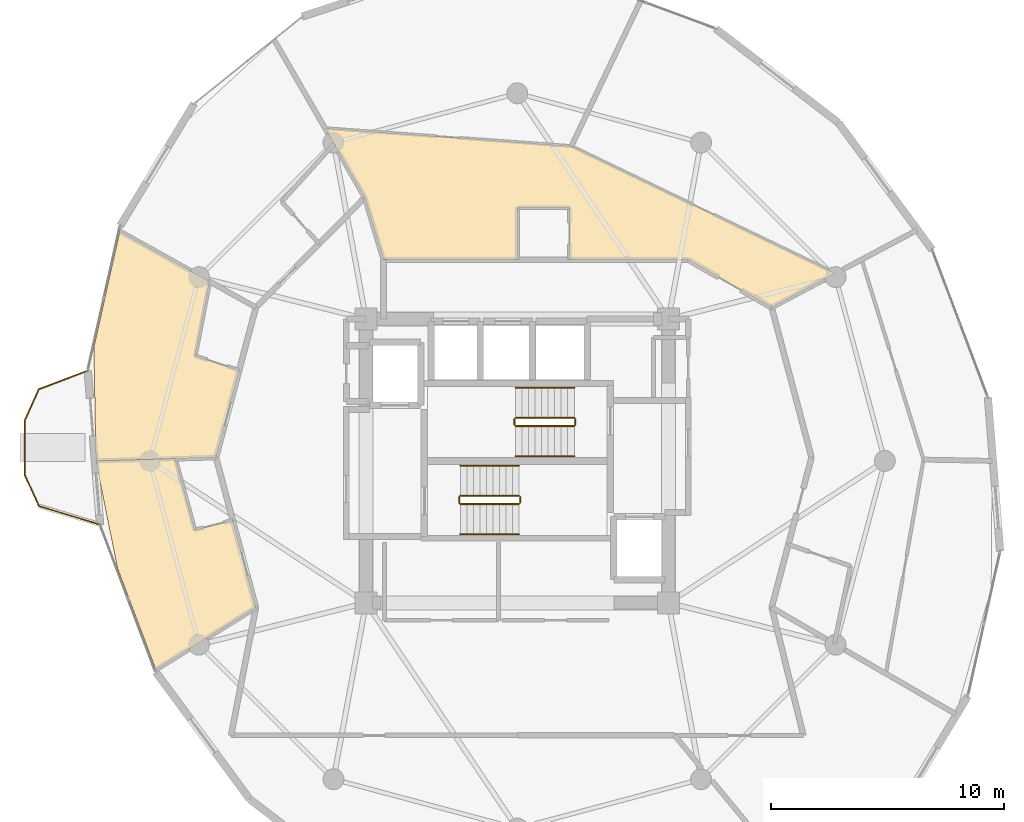
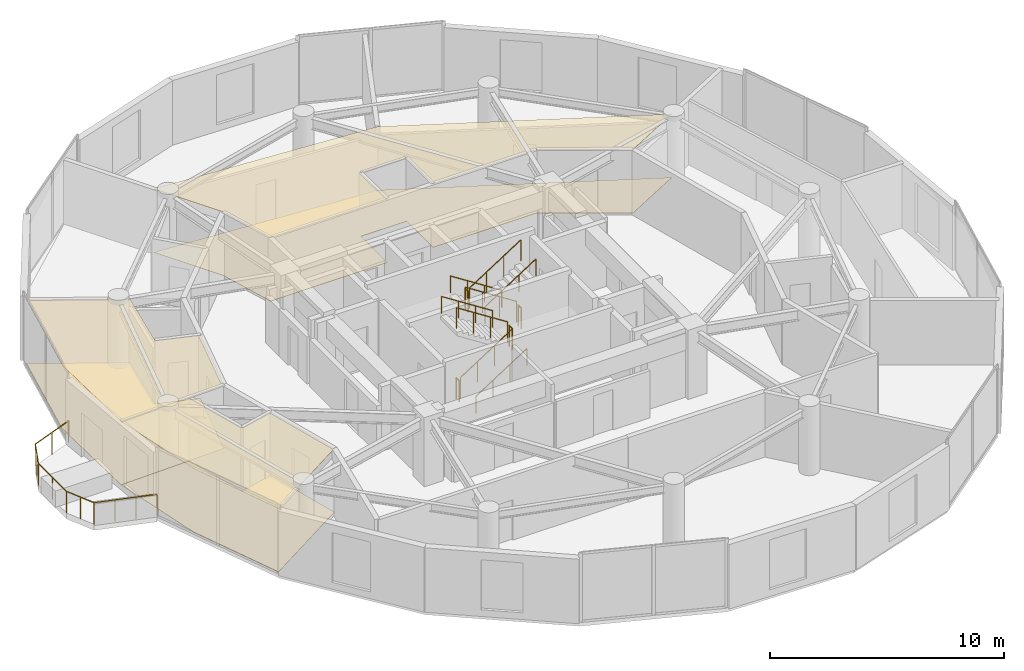
# One storey, part 19 of 20: 13 railings, 6 coverings.
"""IFC4 building model written with IfcOpenShell, lengths in metres."""

from ifc_helpers import new_model, si_unit, direction, frame, origin, origin_2d, place, context, subcontext, project, spatial, polyline, circle, outline, extrude, material, layer, layer_set, type_object, element, save


model = new_model("IFC4")

# Units and contexts
model_context = context("Model", 3, precision=1e-05, world=origin(), true_north=direction((0.0, 1.0)))
body_context = subcontext(model_context, "Body", "Model", "MODEL_VIEW")
ifc_project = project(units=[si_unit("LENGTHUNIT", "METRE"), si_unit("AREAUNIT", "SQUARE_METRE"), si_unit("VOLUMEUNIT", "CUBIC_METRE"), si_unit("PLANEANGLEUNIT", "RADIAN"), si_unit("MASSUNIT", "GRAM", prefix="KILO")], contexts=[model_context])

# Site, building, storey
site_placement = place(None, origin())
site = spatial("IfcSite", under=ifc_project, at=site_placement, CompositionType="ELEMENT")
building_placement = place(site_placement, origin())
building = spatial("IfcBuilding", under=site, at=building_placement, Name="Solvirekh Grand Hotel", CompositionType="ELEMENT")
storey_placement = place(building_placement, frame((0.0, 0.0, 194.800048828125)))
storey = spatial("IfcBuildingStorey", under=building, at=storey_placement, Name="L50", CompositionType="ELEMENT", Elevation=194.800048828125)

# Coverings
ifc_material_1 = material(Name="Acoustic Mineral Ceiling Tile")
ifc_layer_1 = layer(ifc_material_1, 0.02490234375)
ifc_layer_set_1 = layer_set([ifc_layer_1], Name="Acoustic Mineral Ceiling Tile")
covering_type_1 = type_object("IfcCoveringType", Name="Cov_Ceiling_Acoustic", PredefinedType="CEILING", material=ifc_layer_set_1)
covering_1_placement = place(storey_placement, frame((0.0, 0.0, 3.31005859375)))
element("IfcCovering", 1, at=covering_1_placement, inside=storey, type_object=covering_type_1, Name="L50 Panorama Suite 5201 Inner Suite Lounge acoustic ceiling", PredefinedType="CEILING", context=body_context, shape_type="SweptSolid", body=[
    extrude(outline(polyline([(0.0, 8.64990234375), (0.0, 10.89990234375), (2.25, 10.89990234375), (2.25, 8.64990234375), (7.35009765625, 8.64990234375), (10.93505859375, 6.60009765625), (13.679931640625, 8.05908203125), (2.326904296875, 13.528076171875), (-8.262939453125, 14.299072265625), (-6.550048828125, 11.322021484375), (-5.75, 8.64990234375), (0.0, 8.64990234375)])), origin(), (0.0, 0.0, 1.0), 0.017822265625),
])
covering_2_placement = place(storey_placement, frame((0.0, 0.0, 3.31005859375)))
element("IfcCovering", 2, at=covering_2_placement, inside=storey, type_object=covering_type_1, Name="L50 Deluxe Guestroom 5203 acoustic ceiling", PredefinedType="CEILING", context=body_context, shape_type="SweptSolid", body=[
    extrude(outline(polyline([(-13.845947265625, 4.513916015625), (-13.22509765625, 7.7099609375), (-17.087890625, 9.865966796875), (-18.199951171875, 4.876953125), (-18.113037109375, 0.0), (-12.949951171875, 0.14990234375), (-11.955078125, 3.89111328125), (-13.845947265625, 4.513916015625)])), origin(), (0.0, 0.0, 1.0), 0.017822265625),
])
covering_3_placement = place(storey_placement, frame((0.0, 0.0, 3.31005859375)))
element("IfcCovering", 3, at=covering_3_placement, inside=storey, type_object=covering_type_1, Name="L50 Deluxe Guestroom 5204 acoustic ceiling", PredefinedType="CEILING", context=body_context, shape_type="SweptSolid", body=[
    extrude(outline(polyline([(-13.863037109375, -2.969970703125), (-14.705078125, 0.09912109375), (-18.113037109375, 0.0), (-17.18603515625, -4.60498046875), (-15.5380859375, -8.970947265625), (-11.235107421875, -6.300048828125), (-12.22998046875, -2.55908203125), (-13.863037109375, -2.969970703125)])), origin(), (0.0, 0.0, 1.0), 0.017822265625),
])
ifc_material_2 = material(Name="Porcelain Stoneware Flooring", Category="masonry")
ifc_layer_2 = layer(ifc_material_2, 0.030029296875)
ifc_layer_set_2 = layer_set([ifc_layer_2], Name="Porcelain Stoneware Flooring")
covering_type_2 = type_object("IfcCoveringType", Name="Cov_Floor_Stone", PredefinedType="FLOORING", material=ifc_layer_set_2)
covering_4_placement = place(storey_placement, origin())
element("IfcCovering", 4, at=covering_4_placement, inside=storey, type_object=covering_type_2, Name="L50 Panorama Suite 5201 Inner Suite Lounge polished granite flooring", PredefinedType="FLOORING", context=body_context, shape_type="SweptSolid", body=[
    extrude(outline(polyline([(0.0, 8.64990234375), (0.0, 10.89990234375), (2.25, 10.89990234375), (2.25, 8.64990234375), (7.35009765625, 8.64990234375), (10.93505859375, 6.60009765625), (13.679931640625, 8.05908203125), (2.326904296875, 13.528076171875), (-8.262939453125, 14.299072265625), (-6.550048828125, 11.322021484375), (-5.75, 8.64990234375), (0.0, 8.64990234375)])), origin(), (0.0, 0.0, 1.0), 0.02001953125),
])
covering_5_placement = place(storey_placement, origin())
element("IfcCovering", 5, at=covering_5_placement, inside=storey, type_object=covering_type_2, Name="L50 Deluxe Guestroom 5203 polished granite flooring", PredefinedType="FLOORING", context=body_context, shape_type="SweptSolid", body=[
    extrude(outline(polyline([(-13.845947265625, 4.513916015625), (-13.22509765625, 7.7099609375), (-17.087890625, 9.865966796875), (-18.199951171875, 4.876953125), (-18.113037109375, 0.0), (-12.949951171875, 0.14990234375), (-11.955078125, 3.89111328125), (-13.845947265625, 4.513916015625)])), origin(), (0.0, 0.0, 1.0), 0.02001953125),
])
covering_6_placement = place(storey_placement, origin())
element("IfcCovering", 6, at=covering_6_placement, inside=storey, type_object=covering_type_2, Name="L50 Deluxe Guestroom 5204 polished granite flooring", PredefinedType="FLOORING", context=body_context, shape_type="SweptSolid", body=[
    extrude(outline(polyline([(-13.863037109375, -2.969970703125), (-14.705078125, 0.09912109375), (-18.113037109375, 0.0), (-17.18603515625, -4.60498046875), (-15.5380859375, -8.970947265625), (-11.235107421875, -6.300048828125), (-12.22998046875, -2.55908203125), (-13.863037109375, -2.969970703125)])), origin(), (0.0, 0.0, 1.0), 0.02001953125),
])

# Railings
ifc_material_3 = material(Name="Anodized Bronze Aluminium 6063-T6", Category="aluminium")
railing_type_1 = type_object("IfcRailingType", Name="Guard_ExtGlass_1150", PredefinedType="BALUSTRADE", material=ifc_material_3)
railing_1_placement = place(storey_placement, frame((-18.462890625, 3.8798828125, 0.0)))
element("IfcRailing", 7, at=railing_1_placement, inside=storey, type_object=railing_type_1, Name="L50 horn perimeter glass balustrade", PredefinedType="BALUSTRADE", context=body_context, shape_type="SweptSolid", body=[
    extrude(circle(Radius=0.02392578125, at=origin_2d()), frame((0.0, 0.0, 1.1259765625), z_axis=(-0.935387386294, -0.353624712884, 0.0), x_axis=(0.353624712884, -0.935387386294, 0.0)), (0.0, 0.0, 1.0), 2.2451171875),
    extrude(circle(Radius=0.02392578125, at=origin_2d()), frame((-2.10009765625, -0.7939453125, 1.1259765625), z_axis=(-0.413081095285, -0.910694245463, 0.0), x_axis=(0.910694245463, -0.413081095285, 0.0)), (0.0, 0.0, 1.0), 1.45263671875),
    extrude(circle(Radius=0.02392578125, at=origin_2d()), frame((-2.7001953125, -2.116943359375, 1.1259765625), z_axis=(0.0, -1.0, 0.0), x_axis=(1.0, 0.0, 0.0)), (0.0, 0.0, 1.0), 2.3818359375),
    extrude(circle(Radius=0.02392578125, at=origin_2d()), frame((-2.7001953125, -4.498779296875, 1.1259765625), z_axis=(0.413081095285, -0.910694245463, 0.0), x_axis=(0.910694245463, 0.413081095285, 0.0)), (0.0, 0.0, 1.0), 1.45263671875),
    extrude(circle(Radius=0.02392578125, at=origin_2d()), frame((-2.10009765625, -5.82177734375, 1.1259765625), z_axis=(0.957271539456, -0.289190594154, 0.0), x_axis=(0.289190594154, 0.957271539456, 0.0)), (0.0, 0.0, 1.0), 2.746337890625),
    extrude(circle(Radius=0.02099609375, at=origin_2d()), origin(), (0.0, 0.0, 1.0), 1.101806640625),
    extrude(circle(Radius=0.02099609375, at=origin_2d()), frame((-1.050048828125, -0.39697265625, 0.0)), (0.0, 0.0, 1.0), 1.101806640625),
    extrude(circle(Radius=0.02099609375, at=origin_2d()), frame((-2.10009765625, -0.7939453125, 0.0)), (0.0, 0.0, 1.0), 1.101806640625),
    extrude(circle(Radius=0.02099609375, at=origin_2d()), frame((-2.400146484375, -1.45556640625, 0.0)), (0.0, 0.0, 1.0), 1.101806640625),
    extrude(circle(Radius=0.02099609375, at=origin_2d()), frame((-2.7001953125, -2.116943359375, 0.0)), (0.0, 0.0, 1.0), 1.101806640625),
    extrude(circle(Radius=0.02099609375, at=origin_2d()), frame((-2.7001953125, -3.307861328125, 0.0)), (0.0, 0.0, 1.0), 1.101806640625),
    extrude(circle(Radius=0.02099609375, at=origin_2d()), frame((-2.7001953125, -4.498779296875, 0.0)), (0.0, 0.0, 1.0), 1.101806640625),
    extrude(circle(Radius=0.02099609375, at=origin_2d()), frame((-2.400146484375, -5.16015625, 0.0)), (0.0, 0.0, 1.0), 1.101806640625),
    extrude(circle(Radius=0.02099609375, at=origin_2d()), frame((-2.10009765625, -5.82177734375, 0.0)), (0.0, 0.0, 1.0), 1.101806640625),
    extrude(circle(Radius=0.02099609375, at=origin_2d()), frame((-1.223876953125, -6.08642578125, 0.0)), (0.0, 0.0, 1.0), 1.101806640625),
    extrude(circle(Radius=0.02099609375, at=origin_2d()), frame((-0.347412109375, -6.351318359375, 0.0)), (0.0, 0.0, 1.0), 1.101806640625),
    extrude(circle(Radius=0.02099609375, at=origin_2d()), frame((0.52880859375, -6.615966796875, 0.0)), (0.0, 0.0, 1.0), 1.101806640625),
])
ifc_material_4 = material(Name="Steel S355", Category="steel")
railing_type_2 = type_object("IfcRailingType", Name="Guard_Stair_1100", PredefinedType="GUARDRAIL", material=ifc_material_4)
railing_2_placement = place(storey_placement, frame((-2.449951171875, -1.85009765625, 0.179931640625)))
element("IfcRailing", 8, at=railing_2_placement, inside=storey, type_object=railing_type_2, Name="L50 ST-1 stair guard 1", PredefinedType="GUARDRAIL", context=body_context, shape_type="SweptSolid", body=[
    extrude(circle(Radius=0.02392578125, at=origin_2d()), frame((0.0, 0.0, 1.076171875), z_axis=(0.841162588446, 0.0, 0.540782303519), x_axis=(0.0, 1.0, 0.0)), (0.0, 0.0, 1.0), 2.995849609375),
    extrude(circle(Radius=0.02099609375, at=origin_2d()), origin(), (0.0, 0.0, 1.0), 1.052001953125),
    extrude(circle(Radius=0.02099609375, at=origin_2d()), frame((0.840087890625, 0.0, 0.5400390625)), (0.0, 0.0, 1.0), 1.052001953125),
    extrude(circle(Radius=0.02099609375, at=origin_2d()), frame((1.679931640625, 0.0, 1.080078125)), (0.0, 0.0, 1.0), 1.052001953125),
    extrude(circle(Radius=0.02099609375, at=origin_2d()), frame((2.52001953125, 0.0, 1.6201171875)), (0.0, 0.0, 1.0), 1.052001953125),
])
railing_3_placement = place(storey_placement, frame((0.1201171875, -1.800048828125, 1.800048828125)))
element("IfcRailing", 9, at=railing_3_placement, inside=storey, type_object=railing_type_2, Name="L50 ST-1 stair guard 2", PredefinedType="GUARDRAIL", context=body_context, shape_type="SweptSolid", body=[
    extrude(circle(Radius=0.02392578125, at=origin_2d()), frame((0.0, 0.0, 1.076171875), z_axis=(0.0, 1.0, 0.0), x_axis=(-1.0, 0.0, 0.0)), (0.0, 0.0, 1.0), 0.25),
    extrude(circle(Radius=0.02099609375, at=origin_2d()), origin(), (0.0, 0.0, 1.0), 1.052001953125),
    extrude(circle(Radius=0.02099609375, at=origin_2d()), frame((0.0, 0.25, 0.0)), (0.0, 0.0, 1.0), 1.052001953125),
])
railing_4_placement = place(storey_placement, frame((0.070068359375, -1.5, 1.97998046875)))
element("IfcRailing", 10, at=railing_4_placement, inside=storey, type_object=railing_type_2, Name="L50 ST-1 stair guard 3", PredefinedType="GUARDRAIL", context=body_context, shape_type="SweptSolid", body=[
    extrude(circle(Radius=0.02392578125, at=origin_2d()), frame((0.0, 0.0, 1.076171875), z_axis=(-0.841199657755, 0.0, 0.540724639528), x_axis=(0.0, -1.0, 0.0)), (0.0, 0.0, 1.0), 2.995849609375),
    extrude(circle(Radius=0.02099609375, at=origin_2d()), origin(), (0.0, 0.0, 1.0), 1.052001953125),
    extrude(circle(Radius=0.02099609375, at=origin_2d()), frame((-0.840087890625, 0.0, 0.5400390625)), (0.0, 0.0, 1.0), 1.052001953125),
    extrude(circle(Radius=0.02099609375, at=origin_2d()), frame((-1.679931640625, 0.0, 1.079833984375)), (0.0, 0.0, 1.0), 1.052001953125),
    extrude(circle(Radius=0.02099609375, at=origin_2d()), frame((-2.52001953125, 0.0, 1.619873046875)), (0.0, 0.0, 1.0), 1.052001953125),
])
railing_5_placement = place(storey_placement, frame((-2.5, -1.800048828125, 0.0)))
element("IfcRailing", 11, at=railing_5_placement, inside=storey, type_object=railing_type_2, Name="L50 ST-1 stair guard 4", PredefinedType="GUARDRAIL", context=body_context, shape_type="SweptSolid", body=[
    extrude(circle(Radius=0.02392578125, at=origin_2d()), frame((0.0, 0.0, 1.076171875), z_axis=(0.0, 1.0, 0.0), x_axis=(-1.0, 0.0, 0.0)), (0.0, 0.0, 1.0), 0.25),
    extrude(circle(Radius=0.02099609375, at=origin_2d()), origin(), (0.0, 0.0, 1.0), 1.052001953125),
    extrude(circle(Radius=0.02099609375, at=origin_2d()), frame((0.0, 0.25, 0.0)), (0.0, 0.0, 1.0), 1.052001953125),
])
railing_6_placement = place(storey_placement, frame((2.449951171875, 1.85009765625, 0.179931640625)))
element("IfcRailing", 12, at=railing_6_placement, inside=storey, type_object=railing_type_2, Name="L50 ST-2 stair guard 1", PredefinedType="GUARDRAIL", context=body_context, shape_type="SweptSolid", body=[
    extrude(circle(Radius=0.02392578125, at=origin_2d()), frame((0.0, 0.0, 1.076171875), z_axis=(-0.841162588446, 0.0, 0.540782303519), x_axis=(0.0, -1.0, 0.0)), (0.0, 0.0, 1.0), 2.995849609375),
    extrude(circle(Radius=0.02099609375, at=origin_2d()), origin(), (0.0, 0.0, 1.0), 1.052001953125),
    extrude(circle(Radius=0.02099609375, at=origin_2d()), frame((-0.840087890625, 0.0, 0.5400390625)), (0.0, 0.0, 1.0), 1.052001953125),
    extrude(circle(Radius=0.02099609375, at=origin_2d()), frame((-1.679931640625, 0.0, 1.080078125)), (0.0, 0.0, 1.0), 1.052001953125),
    extrude(circle(Radius=0.02099609375, at=origin_2d()), frame((-2.52001953125, 0.0, 1.6201171875)), (0.0, 0.0, 1.0), 1.052001953125),
])
railing_7_placement = place(storey_placement, frame((-0.1201171875, 1.800048828125, 1.800048828125)))
element("IfcRailing", 13, at=railing_7_placement, inside=storey, type_object=railing_type_2, Name="L50 ST-2 stair guard 2", PredefinedType="GUARDRAIL", context=body_context, shape_type="SweptSolid", body=[
    extrude(circle(Radius=0.02392578125, at=origin_2d()), frame((0.0, 0.0, 1.076171875), z_axis=(0.0, -1.0, 0.0), x_axis=(1.0, 0.0, 0.0)), (0.0, 0.0, 1.0), 0.25),
    extrude(circle(Radius=0.02099609375, at=origin_2d()), origin(), (0.0, 0.0, 1.0), 1.052001953125),
    extrude(circle(Radius=0.02099609375, at=origin_2d()), frame((0.0, -0.25, 0.0)), (0.0, 0.0, 1.0), 1.052001953125),
])
railing_8_placement = place(storey_placement, frame((-0.070068359375, 1.5, 1.97998046875)))
element("IfcRailing", 14, at=railing_8_placement, inside=storey, type_object=railing_type_2, Name="L50 ST-2 stair guard 3", PredefinedType="GUARDRAIL", context=body_context, shape_type="SweptSolid", body=[
    extrude(circle(Radius=0.02392578125, at=origin_2d()), frame((0.0, 0.0, 1.076171875), z_axis=(0.841199657755, 0.0, 0.540724639528), x_axis=(0.0, 1.0, 0.0)), (0.0, 0.0, 1.0), 2.995849609375),
    extrude(circle(Radius=0.02099609375, at=origin_2d()), origin(), (0.0, 0.0, 1.0), 1.052001953125),
    extrude(circle(Radius=0.02099609375, at=origin_2d()), frame((0.840087890625, 0.0, 0.5400390625)), (0.0, 0.0, 1.0), 1.052001953125),
    extrude(circle(Radius=0.02099609375, at=origin_2d()), frame((1.679931640625, 0.0, 1.079833984375)), (0.0, 0.0, 1.0), 1.052001953125),
    extrude(circle(Radius=0.02099609375, at=origin_2d()), frame((2.52001953125, 0.0, 1.619873046875)), (0.0, 0.0, 1.0), 1.052001953125),
])
railing_9_placement = place(storey_placement, frame((2.5, 1.800048828125, 0.0)))
element("IfcRailing", 15, at=railing_9_placement, inside=storey, type_object=railing_type_2, Name="L50 ST-2 stair guard 4", PredefinedType="GUARDRAIL", context=body_context, shape_type="SweptSolid", body=[
    extrude(circle(Radius=0.02392578125, at=origin_2d()), frame((0.0, 0.0, 1.076171875), z_axis=(0.0, -1.0, 0.0), x_axis=(1.0, 0.0, 0.0)), (0.0, 0.0, 1.0), 0.25),
    extrude(circle(Radius=0.02099609375, at=origin_2d()), origin(), (0.0, 0.0, 1.0), 1.052001953125),
    extrude(circle(Radius=0.02099609375, at=origin_2d()), frame((0.0, -0.25, 0.0)), (0.0, 0.0, 1.0), 1.052001953125),
])
railing_type_3 = type_object("IfcRailingType", Name="Handrail_Wall_900", PredefinedType="HANDRAIL", material=ifc_material_3)
railing_10_placement = place(storey_placement, frame((-2.449951171875, -3.14990234375, 0.179931640625)))
element("IfcRailing", 16, at=railing_10_placement, inside=storey, type_object=railing_type_3, Name="L50 ST-1 stair handrail 1", PredefinedType="HANDRAIL", context=body_context, shape_type="SweptSolid", body=[
    extrude(circle(Radius=0.02392578125, at=origin_2d()), frame((0.0, 0.0, 0.8759765625), z_axis=(0.841162588446, 0.0, 0.540782303519), x_axis=(0.0, 1.0, 0.0)), (0.0, 0.0, 1.0), 2.995849609375),
    extrude(circle(Radius=0.02099609375, at=origin_2d()), origin(), (0.0, 0.0, 1.0), 0.851806640625),
    extrude(circle(Radius=0.02099609375, at=origin_2d()), frame((0.840087890625, 0.0, 0.5400390625)), (0.0, 0.0, 1.0), 0.851806640625),
    extrude(circle(Radius=0.02099609375, at=origin_2d()), frame((1.679931640625, 0.0, 1.080078125)), (0.0, 0.0, 1.0), 0.851806640625),
    extrude(circle(Radius=0.02099609375, at=origin_2d()), frame((2.52001953125, 0.0, 1.6201171875)), (0.0, 0.0, 1.0), 0.851806640625),
])
railing_11_placement = place(storey_placement, frame((0.070068359375, -0.199951171875, 1.97998046875)))
element("IfcRailing", 17, at=railing_11_placement, inside=storey, type_object=railing_type_3, Name="L50 ST-1 stair handrail 2", PredefinedType="HANDRAIL", context=body_context, shape_type="SweptSolid", body=[
    extrude(circle(Radius=0.02392578125, at=origin_2d()), frame((0.0, 0.0, 0.8759765625), z_axis=(-0.841199657755, 0.0, 0.540724639528), x_axis=(0.0, -1.0, 0.0)), (0.0, 0.0, 1.0), 2.995849609375),
    extrude(circle(Radius=0.02099609375, at=origin_2d()), origin(), (0.0, 0.0, 1.0), 0.851806640625),
    extrude(circle(Radius=0.02099609375, at=origin_2d()), frame((-0.840087890625, 0.0, 0.5400390625)), (0.0, 0.0, 1.0), 0.851806640625),
    extrude(circle(Radius=0.02099609375, at=origin_2d()), frame((-1.679931640625, 0.0, 1.079833984375)), (0.0, 0.0, 1.0), 0.851806640625),
    extrude(circle(Radius=0.02099609375, at=origin_2d()), frame((-2.52001953125, 0.0, 1.619873046875)), (0.0, 0.0, 1.0), 0.851806640625),
])
railing_12_placement = place(storey_placement, frame((2.449951171875, 3.14990234375, 0.179931640625)))
element("IfcRailing", 18, at=railing_12_placement, inside=storey, type_object=railing_type_3, Name="L50 ST-2 stair handrail 1", PredefinedType="HANDRAIL", context=body_context, shape_type="SweptSolid", body=[
    extrude(circle(Radius=0.02392578125, at=origin_2d()), frame((0.0, 0.0, 0.8759765625), z_axis=(-0.841162588446, 0.0, 0.540782303519), x_axis=(0.0, -1.0, 0.0)), (0.0, 0.0, 1.0), 2.995849609375),
    extrude(circle(Radius=0.02099609375, at=origin_2d()), origin(), (0.0, 0.0, 1.0), 0.851806640625),
    extrude(circle(Radius=0.02099609375, at=origin_2d()), frame((-0.840087890625, 0.0, 0.5400390625)), (0.0, 0.0, 1.0), 0.851806640625),
    extrude(circle(Radius=0.02099609375, at=origin_2d()), frame((-1.679931640625, 0.0, 1.080078125)), (0.0, 0.0, 1.0), 0.851806640625),
    extrude(circle(Radius=0.02099609375, at=origin_2d()), frame((-2.52001953125, 0.0, 1.6201171875)), (0.0, 0.0, 1.0), 0.851806640625),
])
railing_13_placement = place(storey_placement, frame((-0.070068359375, 0.199951171875, 1.97998046875)))
element("IfcRailing", 19, at=railing_13_placement, inside=storey, type_object=railing_type_3, Name="L50 ST-2 stair handrail 2", PredefinedType="HANDRAIL", context=body_context, shape_type="SweptSolid", body=[
    extrude(circle(Radius=0.02392578125, at=origin_2d()), frame((0.0, 0.0, 0.8759765625), z_axis=(0.841199657755, 0.0, 0.540724639528), x_axis=(0.0, 1.0, 0.0)), (0.0, 0.0, 1.0), 2.995849609375),
    extrude(circle(Radius=0.02099609375, at=origin_2d()), origin(), (0.0, 0.0, 1.0), 0.851806640625),
    extrude(circle(Radius=0.02099609375, at=origin_2d()), frame((0.840087890625, 0.0, 0.5400390625)), (0.0, 0.0, 1.0), 0.851806640625),
    extrude(circle(Radius=0.02099609375, at=origin_2d()), frame((1.679931640625, 0.0, 1.079833984375)), (0.0, 0.0, 1.0), 0.851806640625),
    extrude(circle(Radius=0.02099609375, at=origin_2d()), frame((2.52001953125, 0.0, 1.619873046875)), (0.0, 0.0, 1.0), 0.851806640625),
])

save(model, "model.ifc")
